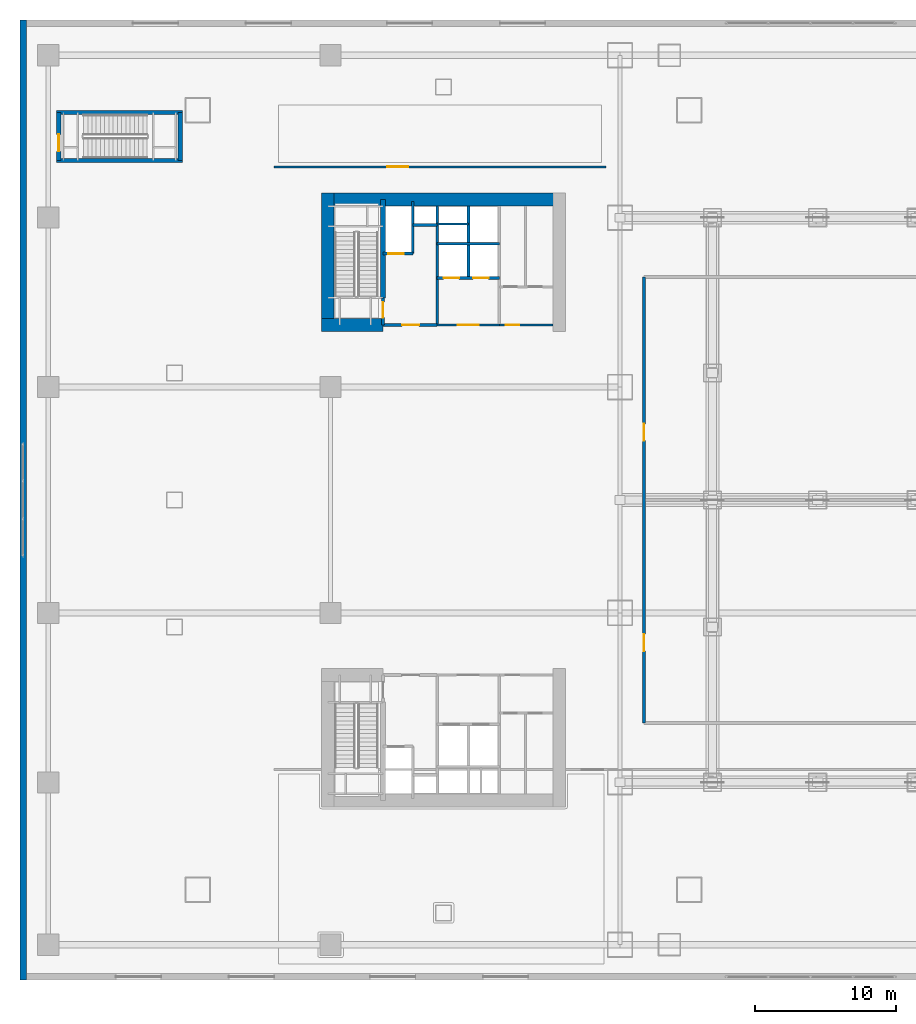
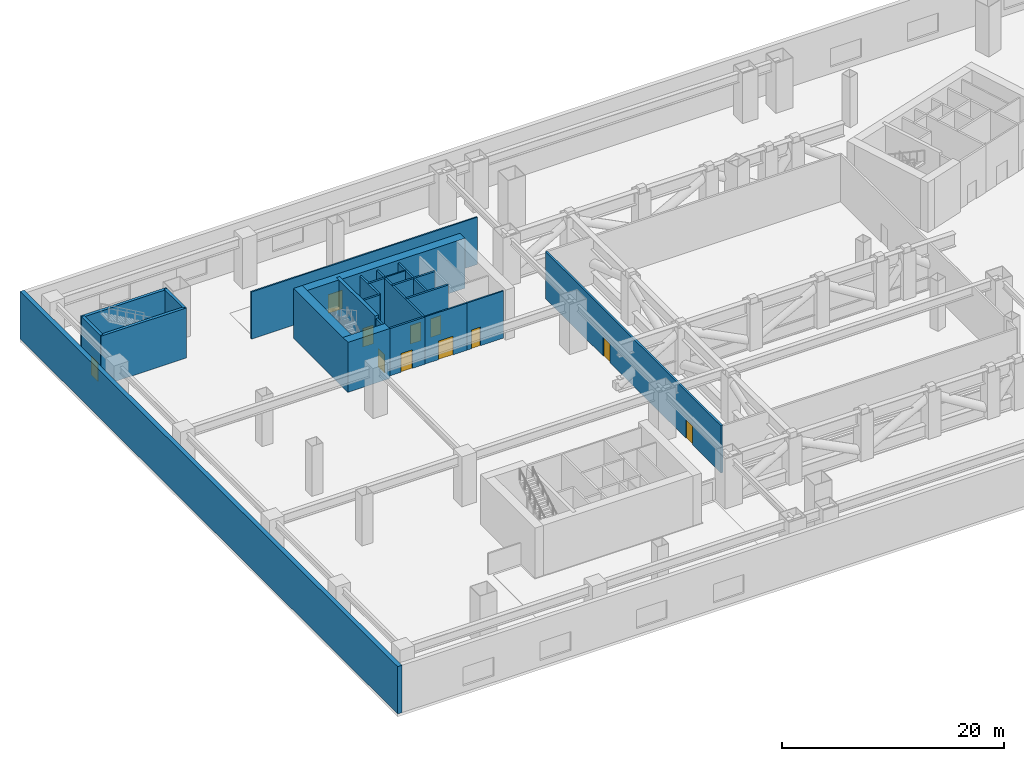
# One storey, part 26 of 34: 23 walls, 11 doors, 11 openings.
"""IFC4 building model written with IfcOpenShell, lengths in metres."""

from ifc_helpers import new_model, si_unit, direction, frame, frame_2d, origin, place, context, subcontext, project, spatial, rectangle, extrude, material, layer, layer_set, type_object, element, fill, save


model = new_model("IFC4")

# Units and contexts
model_context = context("Model", 3, precision=1e-05, world=origin(), true_north=direction((0.0, 1.0)))
body_context = subcontext(model_context, "Body", "Model", "MODEL_VIEW")
ifc_project = project(units=[si_unit("LENGTHUNIT", "METRE"), si_unit("AREAUNIT", "SQUARE_METRE"), si_unit("VOLUMEUNIT", "CUBIC_METRE"), si_unit("PLANEANGLEUNIT", "RADIAN"), si_unit("MASSUNIT", "GRAM", prefix="KILO")], contexts=[model_context])

# Site, building, storey
site_placement = place(None, origin())
site = spatial("IfcSite", under=ifc_project, at=site_placement, CompositionType="ELEMENT")
building_placement = place(site_placement, origin())
building = spatial("IfcBuilding", under=site, at=building_placement, Name="Qiaolan Cultural Towers", CompositionType="ELEMENT")
storey_placement = place(building_placement, frame((0.0, 0.0, 16.5)))
storey = spatial("IfcBuildingStorey", under=building, at=storey_placement, Name="L03", CompositionType="ELEMENT", Elevation=16.5)

# Walls
ifc_material_1 = material(Name="Concrete C50", Category="concrete")
ifc_layer_1 = layer(ifc_material_1, 0.35009765625)
ifc_layer_set_1 = layer_set([ifc_layer_1], Name="Concrete C50")
wall_type_1 = type_object("IfcWallType", Name="WL-CORE-350", PredefinedType="SHEAR", material=ifc_layer_set_1)
wall_1_placement = place(storey_placement, frame((25.719970703125, 48.300048828125, 0.0), z_axis=(0.0, 0.0, 1.0), x_axis=(0.0, 1.0, 0.0)))
element("IfcWall", 1, at=wall_1_placement, inside=storey, type_object=wall_type_1, Name="L03 T1-CN Stair Core Dividing Web", PredefinedType="SHEAR", context=body_context, shape_type="SweptSolid", body=[
    extrude(rectangle(XDim=6.97998046875, YDim=0.35009765625, at=frame_2d((3.489990234375, 0.0))), origin(), (0.0, 0.0, 1.0), 5.5),
])
for number, where, z_axis, x_axis, name in (
    (2, (2.60009765625, 58.050048828125, 0.0), (0.0, 0.0, 1.0), (1.0, 0.0, 0.0), "L03 STP1 Stair Shaft Wall S"),
    (3, (2.60009765625, 61.449951171875, 0.0), (0.0, 0.0, 1.0), (1.0, 0.0, 0.0), "L03 STP1 Stair Shaft Wall N"),
):
    element("IfcWall", number, at=place(storey_placement, frame(where, z_axis=z_axis, x_axis=x_axis)), inside=storey, type_object=wall_type_1, Name=name, PredefinedType="SHEAR", context=body_context, shape_type="SweptSolid", body=[
        extrude(rectangle(XDim=8.89990234375, YDim=0.300048828125, at=frame_2d((4.449951171875, 0.0))), origin(), (0.0, 0.0, 1.0), 5.5),
    ])
wall_2_placement = place(storey_placement, frame((11.35009765625, 58.050048828125, 0.0), z_axis=(0.0, 0.0, 1.0), x_axis=(0.0, 1.0, 0.0)))
element("IfcWall", 4, at=wall_2_placement, inside=storey, type_object=wall_type_1, Name="L03 STP1 Stair Shaft Wall E", PredefinedType="SHEAR", context=body_context, shape_type="SweptSolid", body=[
    extrude(rectangle(XDim=3.39990234375, YDim=0.300048828125, at=frame_2d((1.699951171875, 0.0))), origin(), (0.0, 0.0, 1.0), 5.5),
])

# Wall, opening, door
wall_3_placement = place(storey_placement, frame((2.75, 58.050048828125, 0.0), z_axis=(0.0, 0.0, 1.0), x_axis=(0.0, 1.0, 0.0)))
wall_3 = element("IfcWall", 5, at=wall_3_placement, inside=storey, type_object=wall_type_1, Name="L03 STP1 Stair Shaft Wall W", PredefinedType="SHEAR", context=body_context, shape_type="SweptSolid", body=[
    extrude(rectangle(XDim=3.39990234375, YDim=0.300048828125, at=frame_2d((1.699951171875, 0.0))), origin(), (0.0, 0.0, 1.0), 5.5),
])
opening_1_placement = place(wall_3_placement, frame((0.64990234375, 0.0, 0.0)))
opening_1 = element("IfcOpeningElement", 6, at=opening_1_placement, cuts=wall_3, Name="Opening FD-03", PredefinedType="OPENING", context=body_context, shape_type="SweptSolid", body=[
    extrude(rectangle(XDim=1.199951171875, YDim=2.050048828125, at=frame_2d((0.60009765625, 1.02490234375))), frame((0.0, 0.159912109375, 0.0), z_axis=(0.0, -1.0, 0.0), x_axis=(1.0, 0.0, 0.0)), (0.0, 0.0, 1.0), 0.320068359375),
])
ifc_material_2 = material(Name="Galvanized Steel Smokeproof Lobby Fire Door", Category="steel")
door_type_1 = type_object("IfcDoorType", Name="DR-FD90-1200", OperationType="NOTDEFINED", PredefinedType="DOOR", material=ifc_material_2)
door_1_placement = place(opening_1_placement, origin())
door_1 = element("IfcDoor", 7, at=door_1_placement, inside=storey, type_object=door_type_1, Name="L03 Exit Stair ST-P1 Fire Door", OperationType="SINGLE_SWING_LEFT", OverallHeight=2.050048828125, OverallWidth=1.199951171875, PredefinedType="DOOR", context=body_context, shape_type="SweptSolid", body=[
    extrude(rectangle(XDim=1.199951171875, YDim=2.050048828125, at=frame_2d((0.60009765625, 1.02490234375))), frame((0.0, 0.02490234375, 0.0), z_axis=(0.0, -1.0, 0.0), x_axis=(1.0, 0.0, 0.0)), (0.0, 0.0, 1.0), 0.050048828125),
])
fill(opening_1, door_1)

# Walls
ifc_material_3 = material(Name="Concrete C60", Category="concrete")
ifc_layer_2 = layer(ifc_material_3, 0.89990234375)
ifc_layer_set_2 = layer_set([ifc_layer_2], Name="Concrete C60")
wall_type_2 = type_object("IfcWallType", Name="WL-CORE-900", PredefinedType="SHEAR", material=ifc_layer_set_2)
wall_4_placement = place(storey_placement, frame((21.35009765625, 55.280029296875, 0.0), z_axis=(0.0, 0.0, 1.0), x_axis=(1.0, 0.0, 0.0)))
element("IfcWall", 8, at=wall_4_placement, inside=storey, type_object=wall_type_2, Name="L03 T1-CN Outer Core Shear Wall", PredefinedType="SHEAR", context=body_context, shape_type="SweptSolid", body=[
    extrude(rectangle(XDim=17.2998046875, YDim=0.89990234375, at=frame_2d((8.64990234375, 0.0))), origin(), (0.0, 0.0, 1.0), 5.5),
])
wall_5_placement = place(storey_placement, frame((21.800048828125, 45.949951171875, 0.0), z_axis=(0.0, 0.0, 1.0), x_axis=(0.0, 1.0, 0.0)))
element("IfcWall", 9, at=wall_5_placement, inside=storey, type_object=wall_type_2, Name="L03 T1-CN West Core Shear Wall", PredefinedType="SHEAR", context=body_context, shape_type="SweptSolid", body=[
    extrude(rectangle(XDim=9.780029296875, YDim=0.89990234375, at=frame_2d((4.89013671875, 0.0))), origin(), (0.0, 0.0, 1.0), 5.5),
])
wall_6_placement = place(storey_placement, frame((21.35009765625, 46.39990234375, 0.0), z_axis=(0.0, 0.0, 1.0), x_axis=(1.0, 0.0, 0.0)))
element("IfcWall", 10, at=wall_6_placement, inside=storey, type_object=wall_type_2, Name="L03 T1-CN Stair Front Shear Wall", PredefinedType="SHEAR", context=body_context, shape_type="SweptSolid", body=[
    extrude(rectangle(XDim=4.369873046875, YDim=0.89990234375, at=frame_2d((2.18505859375, 0.0))), origin(), (0.0, 0.0, 1.0), 5.5),
])
ifc_material_4 = material(Name="Precast Concrete C50 Bush-Hammered Granite Pier", Category="masonry")
ifc_layer_3 = layer(ifc_material_4, 0.449951171875)
ifc_layer_set_3 = layer_set([ifc_layer_3], Name="Precast Concrete C50 Bush-Hammered Granite Pier")
wall_type_3 = type_object("IfcWallType", Name="WL-EXT-POD-450", PredefinedType="SOLIDWALL", material=ifc_layer_set_3)
wall_7_placement = place(storey_placement, frame((0.22509765625, 0.0, 0.0), z_axis=(0.0, 0.0, 1.0), x_axis=(0.0, 1.0, 0.0)))
element("IfcWall", 11, at=wall_7_placement, inside=storey, type_object=wall_type_3, Name="L03 Podium Precast Facade Wall WEST", PredefinedType="SOLIDWALL", context=body_context, shape_type="SweptSolid", body=[
    extrude(rectangle(XDim=68.0, YDim=0.449951171875, at=frame_2d((34.0, 0.0))), origin(), (0.0, 0.0, 1.0), 5.199951171875),
])

# Wall, opening, door
ifc_material_5 = material(Name="Concrete C35 Fire Wall", Category="concrete")
ifc_layer_4 = layer(ifc_material_5, 0.199951171875)
ifc_layer_set_4 = layer_set([ifc_layer_4], Name="Concrete C35 Fire Wall")
wall_type_4 = type_object("IfcWallType", Name="WL-FIRE-200", PredefinedType="PARTITIONING", material=ifc_layer_set_4)
wall_8_placement = place(storey_placement, frame((25.719970703125, 46.39990234375, 0.0), z_axis=(0.0, 0.0, 1.0), x_axis=(0.0, 1.0, 0.0)))
wall_8 = element("IfcWall", 12, at=wall_8_placement, inside=storey, type_object=wall_type_4, Name="L03 T1-CN Smokeproof Stair Entry Wall", PredefinedType="PARTITIONING", context=body_context, shape_type="SweptSolid", body=[
    extrude(rectangle(XDim=1.900146484375, YDim=0.199951171875, at=frame_2d((0.9501953125, 0.0))), origin(), (0.0, 0.0, 1.0), 5.18505859375),
])
opening_2_placement = place(wall_8_placement, frame((0.52001953125, 0.0, 0.0)))
opening_2 = element("IfcOpeningElement", 13, at=opening_2_placement, cuts=wall_8, Name="Opening FD-04", PredefinedType="OPENING", context=body_context, shape_type="SweptSolid", body=[
    extrude(rectangle(XDim=1.10009765625, YDim=2.050048828125, at=frame_2d((0.550048828125, 1.02490234375))), frame((0.0, 0.10986328125, 0.0), z_axis=(0.0, -1.0, 0.0), x_axis=(1.0, 0.0, 0.0)), (0.0, 0.0, 1.0), 0.219970703125),
])
ifc_material_6 = material(Name="Galvanized Steel Command Fire Door", Category="steel")
door_type_2 = type_object("IfcDoorType", Name="DR-FD90-1100", OperationType="NOTDEFINED", PredefinedType="DOOR", material=ifc_material_6)
door_2_placement = place(opening_2_placement, origin())
door_2 = element("IfcDoor", 14, at=door_2_placement, inside=storey, type_object=door_type_2, Name="L03 ST-W2 Smokeproof Stair Fire Door", OperationType="SINGLE_SWING_LEFT", OverallHeight=2.050048828125, OverallWidth=1.10009765625, PredefinedType="DOOR", context=body_context, shape_type="SweptSolid", body=[
    extrude(rectangle(XDim=1.10009765625, YDim=2.050048828125, at=frame_2d((0.550048828125, 1.02490234375))), frame((0.0, 0.02490234375, 0.0), z_axis=(0.0, -1.0, 0.0), x_axis=(1.0, 0.0, 0.0)), (0.0, 0.0, 1.0), 0.050048828125),
])
fill(opening_2, door_2)

# Wall
wall_9_placement = place(storey_placement, frame((29.550048828125, 46.39990234375, 0.0), z_axis=(0.0, 0.0, 1.0), x_axis=(0.0, 1.0, 0.0)))
element("IfcWall", 15, at=wall_9_placement, inside=storey, type_object=wall_type_4, Name="L03 T1-CN Firefighting Zone Wall", PredefinedType="PARTITIONING", context=body_context, shape_type="SweptSolid", body=[
    extrude(rectangle(XDim=8.43017578125, YDim=0.199951171875, at=frame_2d((4.215087890625, 0.0))), origin(), (0.0, 0.0, 1.0), 5.18505859375),
])

# Wall, opening, door
wall_10_placement = place(storey_placement, frame((25.719970703125, 46.39990234375, 0.0), z_axis=(0.0, 0.0, 1.0), x_axis=(1.0, 0.0, 0.0)))
wall_10 = element("IfcWall", 16, at=wall_10_placement, inside=storey, type_object=wall_type_4, Name="L03 T1-CN Firefighting Lobby Front Wall", PredefinedType="PARTITIONING", context=body_context, shape_type="SweptSolid", body=[
    extrude(rectangle(XDim=3.830078125, YDim=0.199951171875, at=frame_2d((1.9150390625, 0.0))), origin(), (0.0, 0.0, 1.0), 5.18505859375),
])
opening_3_placement = place(wall_10_placement, frame((1.35009765625, 0.0, 0.0)))
opening_3 = element("IfcOpeningElement", 17, at=opening_3_placement, cuts=wall_10, Name="Opening FD-03", PredefinedType="OPENING", context=body_context, shape_type="SweptSolid", body=[
    extrude(rectangle(XDim=1.199951171875, YDim=2.050048828125, at=frame_2d((0.60009765625, 1.02490234375))), frame((0.0, 0.10986328125, 0.0), z_axis=(0.0, -1.0, 0.0), x_axis=(1.0, 0.0, 0.0)), (0.0, 0.0, 1.0), 0.219970703125),
])
door_3_placement = place(opening_3_placement, origin())
door_3 = element("IfcDoor", 18, at=door_3_placement, inside=storey, type_object=door_type_1, Name="L03 FFL-W2 Firefighting Lobby Fire Door", OperationType="SINGLE_SWING_LEFT", OverallHeight=2.050048828125, OverallWidth=1.199951171875, PredefinedType="DOOR", context=body_context, shape_type="SweptSolid", body=[
    extrude(rectangle(XDim=1.199951171875, YDim=2.050048828125, at=frame_2d((0.60009765625, 1.02490234375))), frame((0.0, 0.02490234375, 0.0), z_axis=(0.0, -1.0, 0.0), x_axis=(1.0, 0.0, 0.0)), (0.0, 0.0, 1.0), 0.050048828125),
])
fill(opening_3, door_3)

wall_11_placement = place(storey_placement, frame((25.719970703125, 51.449951171875, 0.0), z_axis=(0.0, 0.0, 1.0), x_axis=(1.0, 0.0, 0.0)))
wall_11 = element("IfcWall", 19, at=wall_11_placement, inside=storey, type_object=wall_type_4, Name="L03 T1-CN Firefighting Shaft Front Wall", PredefinedType="PARTITIONING", context=body_context, shape_type="SweptSolid", body=[
    extrude(rectangle(XDim=2.10009765625, YDim=0.199951171875, at=frame_2d((1.050048828125, 0.0))), origin(), (0.0, 0.0, 1.0), 5.18505859375),
])
opening_4_placement = place(wall_11_placement, frame((0.35009765625, 0.0, 0.0)))
opening_4 = element("IfcOpeningElement", 20, at=opening_4_placement, cuts=wall_11, Name="Opening LD-01", PredefinedType="OPENING", context=body_context, shape_type="SweptSolid", body=[
    extrude(rectangle(XDim=1.10009765625, YDim=2.050048828125, at=frame_2d((0.550048828125, 1.02490234375))), frame((0.0, 0.10986328125, 0.0), z_axis=(0.0, -1.0, 0.0), x_axis=(1.0, 0.0, 0.0)), (0.0, 0.0, 1.0), 0.219970703125),
])
ifc_material_7 = material(Name="Brushed Stainless Steel S30408 Centre-Parting Lift Landing Door", Category="steel")
door_type_3 = type_object("IfcDoorType", Name="DR-LIFT-1100", OperationType="NOTDEFINED", PredefinedType="DOOR", material=ifc_material_7)
door_4_placement = place(opening_4_placement, origin())
door_4 = element("IfcDoor", 21, at=door_4_placement, inside=storey, type_object=door_type_3, Name="L03 FFL-W2 Firefighting Lift Landing Door", OperationType="DOUBLE_DOOR_SLIDING", OverallHeight=2.050048828125, OverallWidth=1.10009765625, PredefinedType="DOOR", context=body_context, shape_type="SweptSolid", body=[
    extrude(rectangle(XDim=1.10009765625, YDim=2.050048828125, at=frame_2d((0.550048828125, 1.02490234375))), frame((0.0, 0.02490234375, 0.0), z_axis=(0.0, -1.0, 0.0), x_axis=(1.0, 0.0, 0.0)), (0.0, 0.0, 1.0), 0.050048828125),
])
fill(opening_4, door_4)

# Walls
wall_12_placement = place(storey_placement, frame((27.820068359375, 51.449951171875, 0.0), z_axis=(0.0, 0.0, 1.0), x_axis=(0.0, 1.0, 0.0)))
element("IfcWall", 22, at=wall_12_placement, inside=storey, type_object=wall_type_4, Name="L03 T1-CN Firefighting Hoistway East Wall", PredefinedType="PARTITIONING", context=body_context, shape_type="SweptSolid", body=[
    extrude(rectangle(XDim=3.699951171875, YDim=0.199951171875, at=frame_2d((1.85009765625, 0.0))), origin(), (0.0, 0.0, 1.0), 5.18505859375),
])
wall_13_placement = place(storey_placement, frame((27.820068359375, 53.47998046875, 0.0), z_axis=(0.0, 0.0, 1.0), x_axis=(1.0, 0.0, 0.0)))
element("IfcWall", 23, at=wall_13_placement, inside=storey, type_object=wall_type_4, Name="L03 T1-CN Pressurization Shaft Front Wall", PredefinedType="PARTITIONING", context=body_context, shape_type="SweptSolid", body=[
    extrude(rectangle(XDim=1.72998046875, YDim=0.199951171875, at=frame_2d((0.864990234375, 0.0))), origin(), (0.0, 0.0, 1.0), 5.18505859375),
])

# Wall, openings, doors
wall_14_placement = place(storey_placement, frame((29.550048828125, 49.719970703125, 0.0), z_axis=(0.0, 0.0, 1.0), x_axis=(1.0, 0.0, 0.0)))
wall_14 = element("IfcWall", 24, at=wall_14_placement, inside=storey, type_object=wall_type_4, Name="L03 T1-CN Passenger Lift Shaft Front Wall", PredefinedType="PARTITIONING", context=body_context, shape_type="SweptSolid", body=[
    extrude(rectangle(XDim=4.39990234375, YDim=0.199951171875, at=frame_2d((2.199951171875, 0.0))), origin(), (0.0, 0.0, 1.0), 5.18505859375),
])
opening_5_placement = place(wall_14_placement, frame((0.449951171875, 0.0, 0.0)))
opening_5 = element("IfcOpeningElement", 25, at=opening_5_placement, cuts=wall_14, Name="Opening LD-01", PredefinedType="OPENING", context=body_context, shape_type="SweptSolid", body=[
    extrude(rectangle(XDim=1.10009765625, YDim=2.050048828125, at=frame_2d((0.550048828125, 1.02490234375))), frame((0.0, 0.10986328125, 0.0), z_axis=(0.0, -1.0, 0.0), x_axis=(1.0, 0.0, 0.0)), (0.0, 0.0, 1.0), 0.219970703125),
])
opening_6_placement = place(wall_14_placement, frame((2.550048828125, 0.0, 0.0)))
opening_6 = element("IfcOpeningElement", 26, at=opening_6_placement, cuts=wall_14, Name="Opening LD-01", PredefinedType="OPENING", context=body_context, shape_type="SweptSolid", body=[
    extrude(rectangle(XDim=1.10009765625, YDim=2.050048828125, at=frame_2d((0.550048828125, 1.02490234375))), frame((0.0, 0.10986328125, 0.0), z_axis=(0.0, -1.0, 0.0), x_axis=(1.0, 0.0, 0.0)), (0.0, 0.0, 1.0), 0.219970703125),
])
door_5_placement = place(opening_5_placement, origin())
door_5 = element("IfcDoor", 27, at=door_5_placement, inside=storey, type_object=door_type_3, Name="L03 Passenger Lift 1 Landing Door", OperationType="DOUBLE_DOOR_SLIDING", OverallHeight=2.050048828125, OverallWidth=1.10009765625, PredefinedType="DOOR", context=body_context, shape_type="SweptSolid", body=[
    extrude(rectangle(XDim=1.10009765625, YDim=2.050048828125, at=frame_2d((0.550048828125, 1.02490234375))), frame((0.0, 0.02490234375, 0.0), z_axis=(0.0, -1.0, 0.0), x_axis=(1.0, 0.0, 0.0)), (0.0, 0.0, 1.0), 0.050048828125),
])
fill(opening_5, door_5)
door_6_placement = place(opening_6_placement, origin())
door_6 = element("IfcDoor", 28, at=door_6_placement, inside=storey, type_object=door_type_3, Name="L03 Passenger Lift 2 Landing Door", OperationType="DOUBLE_DOOR_SLIDING", OverallHeight=2.050048828125, OverallWidth=1.10009765625, PredefinedType="DOOR", context=body_context, shape_type="SweptSolid", body=[
    extrude(rectangle(XDim=1.10009765625, YDim=2.050048828125, at=frame_2d((0.550048828125, 1.02490234375))), frame((0.0, 0.02490234375, 0.0), z_axis=(0.0, -1.0, 0.0), x_axis=(1.0, 0.0, 0.0)), (0.0, 0.0, 1.0), 0.050048828125),
])
fill(opening_6, door_6)

# Walls
wall_15_placement = place(storey_placement, frame((31.780029296875, 49.719970703125, 0.0), z_axis=(0.0, 0.0, 1.0), x_axis=(0.0, 1.0, 0.0)))
element("IfcWall", 29, at=wall_15_placement, inside=storey, type_object=wall_type_4, Name="L03 T1-CN Lift Shaft Divider Wall", PredefinedType="PARTITIONING", context=body_context, shape_type="SweptSolid", body=[
    extrude(rectangle(XDim=5.110107421875, YDim=0.199951171875, at=frame_2d((2.55517578125, 0.0))), origin(), (0.0, 0.0, 1.0), 5.18505859375),
])
wall_16_placement = place(storey_placement, frame((29.550048828125, 52.14990234375, 0.0), z_axis=(0.0, 0.0, 1.0), x_axis=(1.0, 0.0, 0.0)))
element("IfcWall", 30, at=wall_16_placement, inside=storey, type_object=wall_type_4, Name="L03 T1-CN Passenger Lift Shaft Back Wall", PredefinedType="PARTITIONING", context=body_context, shape_type="SweptSolid", body=[
    extrude(rectangle(XDim=4.39990234375, YDim=0.199951171875, at=frame_2d((2.199951171875, 0.0))), origin(), (0.0, 0.0, 1.0), 5.18505859375),
])

# Wall, openings, doors
wall_17_placement = place(storey_placement, frame((44.199951171875, 18.199951171875, 0.0), z_axis=(0.0, 0.0, 1.0), x_axis=(0.0, 1.0, 0.0)))
wall_17 = element("IfcWall", 31, at=wall_17_placement, inside=storey, type_object=wall_type_4, Name="L03 Podium Partition L03-TRW", PredefinedType="PARTITIONING", context=body_context, shape_type="SweptSolid", body=[
    extrude(rectangle(XDim=31.60009765625, YDim=0.199951171875, at=frame_2d((15.800048828125, 0.0))), origin(), (0.0, 0.0, 1.0), 5.18505859375),
])
opening_7_placement = place(wall_17_placement, frame((5.10009765625, 0.0, 0.0)))
opening_7 = element("IfcOpeningElement", 32, at=opening_7_placement, cuts=wall_17, Name="Opening FD-03", PredefinedType="OPENING", context=body_context, shape_type="SweptSolid", body=[
    extrude(rectangle(XDim=1.199951171875, YDim=2.050048828125, at=frame_2d((0.60009765625, 1.02490234375))), frame((0.0, 0.10986328125, 0.0), z_axis=(0.0, -1.0, 0.0), x_axis=(1.0, 0.0, 0.0)), (0.0, 0.0, 1.0), 0.219970703125),
])
opening_8_placement = place(wall_17_placement, frame((20.0, 0.0, 0.0)))
opening_8 = element("IfcOpeningElement", 33, at=opening_8_placement, cuts=wall_17, Name="Opening FD-03", PredefinedType="OPENING", context=body_context, shape_type="SweptSolid", body=[
    extrude(rectangle(XDim=1.199951171875, YDim=2.050048828125, at=frame_2d((0.60009765625, 1.02490234375))), frame((0.0, 0.10986328125, 0.0), z_axis=(0.0, -1.0, 0.0), x_axis=(1.0, 0.0, 0.0)), (0.0, 0.0, 1.0), 0.219970703125),
])
door_7_placement = place(opening_7_placement, origin())
door_7 = element("IfcDoor", 34, at=door_7_placement, inside=storey, type_object=door_type_1, Name="L03 Transfer Acoustic Plant Door", OperationType="SINGLE_SWING_LEFT", OverallHeight=2.050048828125, OverallWidth=1.199951171875, PredefinedType="DOOR", context=body_context, shape_type="SweptSolid", body=[
    extrude(rectangle(XDim=1.199951171875, YDim=2.050048828125, at=frame_2d((0.60009765625, 1.02490234375))), frame((0.0, 0.02490234375, 0.0), z_axis=(0.0, -1.0, 0.0), x_axis=(1.0, 0.0, 0.0)), (0.0, 0.0, 1.0), 0.050048828125),
])
fill(opening_7, door_7)
door_8_placement = place(opening_8_placement, origin())
door_8 = element("IfcDoor", 35, at=door_8_placement, inside=storey, type_object=door_type_1, Name="L03 Transfer Chilled Water Plant Door", OperationType="SINGLE_SWING_LEFT", OverallHeight=2.050048828125, OverallWidth=1.199951171875, PredefinedType="DOOR", context=body_context, shape_type="SweptSolid", body=[
    extrude(rectangle(XDim=1.199951171875, YDim=2.050048828125, at=frame_2d((0.60009765625, 1.02490234375))), frame((0.0, 0.02490234375, 0.0), z_axis=(0.0, -1.0, 0.0), x_axis=(1.0, 0.0, 0.0)), (0.0, 0.0, 1.0), 0.050048828125),
])
fill(opening_8, door_8)

# Wall, opening, door
ifc_material_8 = material(Name="Autoclaved Aerated Concrete Block B06", Category="concrete")
ifc_layer_5 = layer(ifc_material_8, 0.14990234375)
ifc_layer_set_5 = layer_set([ifc_layer_5], Name="Autoclaved Aerated Concrete Block B06")
wall_type_5 = type_object("IfcWallType", Name="WL-PART-150", PredefinedType="PARTITIONING", material=ifc_layer_set_5)
wall_18_placement = place(storey_placement, frame((29.550048828125, 46.39990234375, 0.0), z_axis=(0.0, 0.0, 1.0), x_axis=(1.0, 0.0, 0.0)))
wall_18 = element("IfcWall", 36, at=wall_18_placement, inside=storey, type_object=wall_type_5, Name="L03 T1-CN Passenger Lift Lobby Front Wall", PredefinedType="PARTITIONING", context=body_context, shape_type="SweptSolid", body=[
    extrude(rectangle(XDim=4.39990234375, YDim=0.14990234375, at=frame_2d((2.199951171875, 0.0))), origin(), (0.0, 0.0, 1.0), 5.18505859375),
])
opening_9_placement = place(wall_18_placement, frame((1.449951171875, 0.0, 0.0)))
opening_9 = element("IfcOpeningElement", 37, at=opening_9_placement, cuts=wall_18, Name="Opening FD-05", PredefinedType="OPENING", context=body_context, shape_type="SweptSolid", body=[
    extrude(rectangle(XDim=1.5, YDim=2.050048828125, at=frame_2d((0.75, 1.02490234375))), frame((0.0, 0.0849609375, 0.0), z_axis=(0.0, -1.0, 0.0), x_axis=(1.0, 0.0, 0.0)), (0.0, 0.0, 1.0), 0.169921875),
])
ifc_material_9 = material(Name="Painted Steel Lift Lobby Fire Door", Category="steel")
door_type_4 = type_object("IfcDoorType", Name="DR-FD60-1500", OperationType="NOTDEFINED", PredefinedType="DOOR", material=ifc_material_9)
door_9_placement = place(opening_9_placement, origin())
door_9 = element("IfcDoor", 38, at=door_9_placement, inside=storey, type_object=door_type_4, Name="L03 Passenger Lift Lobby Entrance", OperationType="SINGLE_SWING_LEFT", OverallHeight=2.050048828125, OverallWidth=1.5, PredefinedType="DOOR", context=body_context, shape_type="SweptSolid", body=[
    extrude(rectangle(XDim=1.5, YDim=2.050048828125, at=frame_2d((0.75, 1.02490234375))), frame((0.0, 0.02490234375, 0.0), z_axis=(0.0, -1.0, 0.0), x_axis=(1.0, 0.0, 0.0)), (0.0, 0.0, 1.0), 0.050048828125),
])
fill(opening_9, door_9)

# Wall
wall_19_placement = place(storey_placement, frame((29.550048828125, 53.550048828125, 0.0), z_axis=(0.0, 0.0, 1.0), x_axis=(1.0, 0.0, 0.0)))
element("IfcWall", 39, at=wall_19_placement, inside=storey, type_object=wall_type_5, Name="L03 T1-CN Core Rear Riser Split", PredefinedType="PARTITIONING", context=body_context, shape_type="SweptSolid", body=[
    extrude(rectangle(XDim=2.22998046875, YDim=0.14990234375, at=frame_2d((1.114990234375, 0.0))), origin(), (0.0, 0.0, 1.0), 5.18505859375),
])

# Wall, opening, door
wall_20_placement = place(storey_placement, frame((33.949951171875, 46.39990234375, 0.0), z_axis=(0.0, 0.0, 1.0), x_axis=(1.0, 0.0, 0.0)))
wall_20 = element("IfcWall", 40, at=wall_20_placement, inside=storey, type_object=wall_type_5, Name="L03 T1-CN Sanitary Core Front Wall", PredefinedType="PARTITIONING", context=body_context, shape_type="SweptSolid", body=[
    extrude(rectangle(XDim=3.800048828125, YDim=0.14990234375, at=frame_2d((1.89990234375, 0.0))), origin(), (0.0, 0.0, 1.0), 5.18505859375),
])
opening_10_placement = place(wall_20_placement, frame((0.449951171875, 0.0, 0.0)))
opening_10 = element("IfcOpeningElement", 41, at=opening_10_placement, cuts=wall_20, Name="Opening ID-05", PredefinedType="OPENING", context=body_context, shape_type="SweptSolid", body=[
    extrude(rectangle(XDim=0.949951171875, YDim=2.050048828125, at=frame_2d((0.47509765625, 1.02490234375))), frame((0.0, 0.0849609375, 0.0), z_axis=(0.0, -1.0, 0.0), x_axis=(1.0, 0.0, 0.0)), (0.0, 0.0, 1.0), 0.169921875),
])
ifc_material_10 = material(Name="Fire-Rated Laminate Accessible Core Door", Category="timber")
door_type_5 = type_object("IfcDoorType", Name="DR-INT-950", OperationType="NOTDEFINED", PredefinedType="DOOR", material=ifc_material_10)
door_10_placement = place(opening_10_placement, origin())
door_10 = element("IfcDoor", 42, at=door_10_placement, inside=storey, type_object=door_type_5, Name="L03 Sanitary Vestibule Door", OperationType="SINGLE_SWING_LEFT", OverallHeight=2.050048828125, OverallWidth=0.949951171875, PredefinedType="DOOR", context=body_context, shape_type="SweptSolid", body=[
    extrude(rectangle(XDim=0.949951171875, YDim=2.050048828125, at=frame_2d((0.47509765625, 1.02490234375))), frame((0.0, 0.02490234375, 0.0), z_axis=(0.0, -1.0, 0.0), x_axis=(1.0, 0.0, 0.0)), (0.0, 0.0, 1.0), 0.050048828125),
])
fill(opening_10, door_10)

wall_21_placement = place(storey_placement, frame((18.0, 57.60009765625, 0.0), z_axis=(0.0, 0.0, 1.0), x_axis=(1.0, 0.0, 0.0)))
wall_21 = element("IfcWall", 43, at=wall_21_placement, inside=storey, type_object=wall_type_5, Name="L03 Podium Partition L03-NGW", PredefinedType="PARTITIONING", context=body_context, shape_type="SweptSolid", body=[
    extrude(rectangle(XDim=23.5, YDim=0.14990234375, at=frame_2d((11.75, 0.0))), origin(), (0.0, 0.0, 1.0), 5.18505859375),
])
opening_11_placement = place(wall_21_placement, frame((8.0, 0.0, 0.0)))
opening_11 = element("IfcOpeningElement", 44, at=opening_11_placement, cuts=wall_21, Name="Opening ID-01", PredefinedType="OPENING", context=body_context, shape_type="SweptSolid", body=[
    extrude(rectangle(XDim=1.5, YDim=2.050048828125, at=frame_2d((0.75, 1.02490234375))), frame((0.0, 0.0849609375, 0.0), z_axis=(0.0, -1.0, 0.0), x_axis=(1.0, 0.0, 0.0)), (0.0, 0.0, 1.0), 0.169921875),
])
ifc_material_11 = material(Name="Oak Veneer Solid-Core Double Leaf Door", Category="timber")
door_type_6 = type_object("IfcDoorType", Name="DR-INT-1500", OperationType="NOTDEFINED", PredefinedType="DOOR", material=ifc_material_11)
door_11_placement = place(opening_11_placement, origin())
door_11 = element("IfcDoor", 45, at=door_11_placement, inside=storey, type_object=door_type_6, Name="L03 North Gallery Entrance", OperationType="SINGLE_SWING_RIGHT", OverallHeight=2.050048828125, OverallWidth=1.5, PredefinedType="DOOR", context=body_context, shape_type="SweptSolid", body=[
    extrude(rectangle(XDim=1.5, YDim=2.050048828125, at=frame_2d((0.75, 1.02490234375))), frame((0.0, 0.02490234375, 0.0), z_axis=(0.0, -1.0, 0.0), x_axis=(1.0, 0.0, 0.0)), (0.0, 0.0, 1.0), 0.050048828125),
])
fill(opening_11, door_11)

save(model, "model.ifc")
